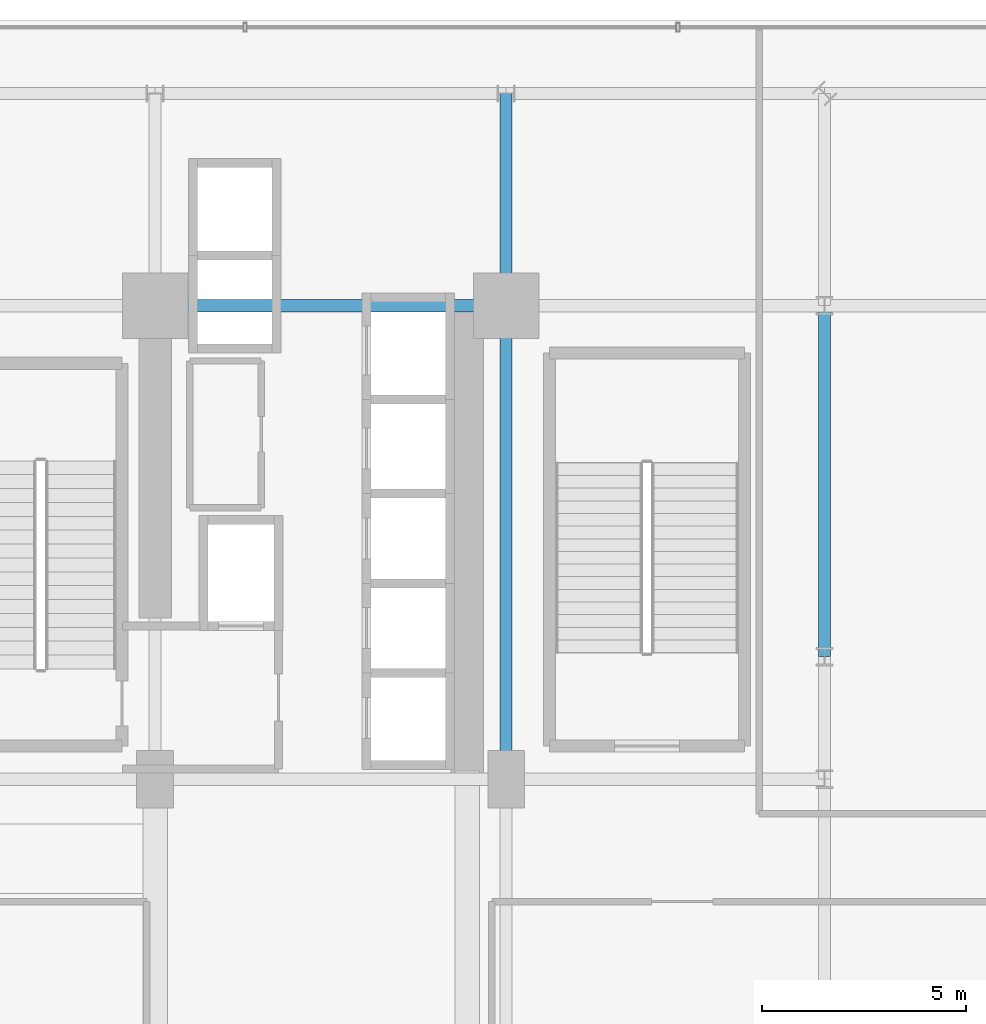
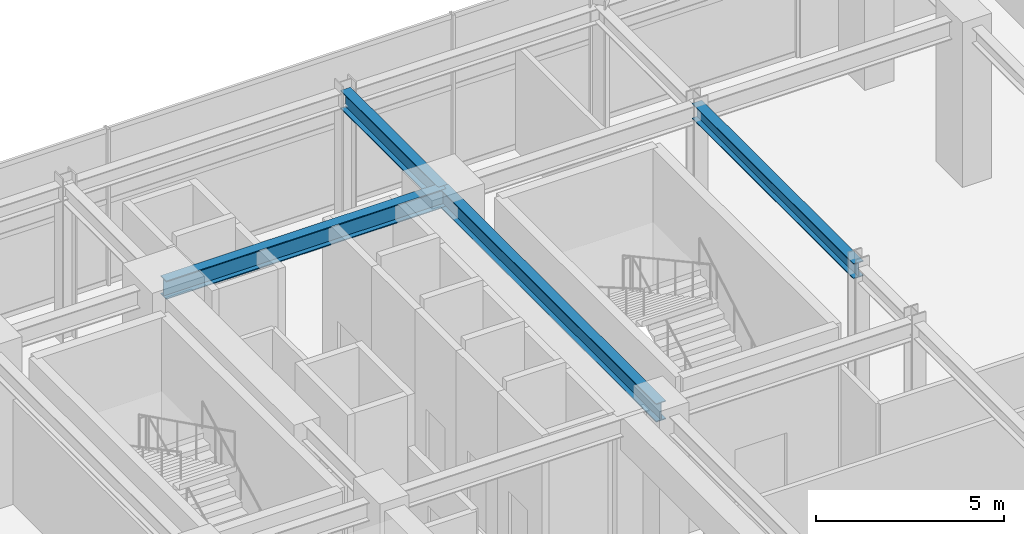
# One storey, part 19 of 32: 4 beams.
"""IFC4 building model written with IfcOpenShell, lengths in metres."""

import ifcopenshell
import ifcopenshell.guid

model = None  # the IFC model being written
_history = None  # IfcOwnerHistory: only IFC2X3 demands one
_inside = {}  # id of a spatial element -> (the spatial element, [elements in it])
_under = {}  # id of a project, library or spatial element -> (it, [spatial elements below it])
_declared = {}  # id of a project -> (the project, [libraries it declares])
_typed = {}  # id of a type object -> (the type object, [elements of that type])
_made_of = {}  # id of a material, layer set ... -> (it, [elements and type objects made of it])


def new_model(schema):
    """Start an empty IFC model of exactly this schema.

    Asked for "IFC4X3", IfcOpenShell would pick the latest addendum, in which some entities
    have other attributes; the version numbers below select the first issue.
    IFC2X3 requires an IfcOwnerHistory on every rooted entity: one is made here for all.
    """
    global model, _history
    if schema == "IFC4X3":
        model = ifcopenshell.file(schema_version=(4, 3, 0, 0))
    else:
        model = ifcopenshell.file(schema=schema)
    _inside.clear()
    _under.clear()
    _declared.clear()
    _typed.clear()
    _made_of.clear()
    _history = None
    if model.schema == "IFC2X3":
        org = make("IfcOrganization", Name="unknown")
        user = make(
            "IfcPersonAndOrganization",
            ThePerson=make("IfcPerson", FamilyName="unknown"),
            TheOrganization=org,
        )
        app = make(
            "IfcApplication",
            ApplicationDeveloper=org,
            Version="unknown",
            ApplicationFullName="unknown",
            ApplicationIdentifier="unknown",
        )
        _history = make(
            "IfcOwnerHistory",
            OwningUser=user,
            OwningApplication=app,
            ChangeAction="ADDED",
            CreationDate=0,
        )
    return model


def make(cls, **values):
    """One entity of the class cls with the attributes given. An attribute that is None is left unset."""
    return model.create_entity(
        cls, **{name: value for name, value in values.items() if value is not None}
    )


def rooted(cls, **values):
    """An entity with a GlobalId (a new one), such as an element, a storey or a relation."""
    return make(cls, GlobalId=ifcopenshell.guid.new(), OwnerHistory=_history, **values)


def si_unit(unit_type, name, prefix=None):
    """IfcSIUnit, for example si_unit("LENGTHUNIT", "METRE", prefix="MILLI")."""
    return make("IfcSIUnit", UnitType=unit_type, Prefix=prefix, Name=name)


def assignment(units):
    """IfcUnitAssignment: the units of a project."""
    return None if units is None else make("IfcUnitAssignment", Units=units)


def point(xyz):
    """IfcCartesianPoint."""
    return None if xyz is None else make("IfcCartesianPoint", Coordinates=xyz)


def direction(xyz):
    """IfcDirection."""
    return None if xyz is None else make("IfcDirection", DirectionRatios=xyz)


def frame(location, z_axis=None, x_axis=None):
    """IfcAxis2Placement3D, a coordinate frame: its origin and axes. An axis left out is left unset."""
    return make(
        "IfcAxis2Placement3D",
        Location=point(location),
        Axis=direction(z_axis),
        RefDirection=direction(x_axis),
    )


def frame_2d(location, x_axis=None):
    """IfcAxis2Placement2D, a coordinate frame in the plane: its origin and x axis."""
    return make(
        "IfcAxis2Placement2D", Location=point(location), RefDirection=direction(x_axis)
    )


def origin():
    """The frame at (0, 0, 0) with its axes left unset."""
    return frame((0.0, 0.0, 0.0))


def origin_2d():
    """The frame at (0, 0) in the plane with its x axis left unset."""
    return frame_2d((0.0, 0.0))


def place(relative_to, where):
    """IfcLocalPlacement: puts the frame where relative to a parent placement (None: the world)."""
    return make(
        "IfcLocalPlacement", PlacementRelTo=relative_to, RelativePlacement=where
    )


def context(
    kind, dimensions, precision=None, world=None, true_north=None, identifier=None
):
    """IfcGeometricRepresentationContext, for example the 3D "Model" context."""
    return make(
        "IfcGeometricRepresentationContext",
        ContextIdentifier=identifier,
        ContextType=kind,
        CoordinateSpaceDimension=dimensions,
        Precision=precision,
        WorldCoordinateSystem=world,
        TrueNorth=true_north,
    )


def subcontext(parent, identifier, kind, view, scale=None):
    """IfcGeometricRepresentationSubContext, for example "Body" below "Model"."""
    return make(
        "IfcGeometricRepresentationSubContext",
        ContextIdentifier=identifier,
        ContextType=kind,
        ParentContext=parent,
        TargetScale=scale,
        TargetView=view,
    )


def project(units=None, contexts=None):
    """IfcProject with its units and contexts."""
    return rooted(
        "IfcProject",
        Name="project",
        RepresentationContexts=contexts,
        UnitsInContext=assignment(units),
    )


def spatial(cls, under=None, at=None, **own):
    """A site, building, storey or space (cls), placed at a placement, below another one or the project."""
    s = rooted(cls, ObjectPlacement=at, **own)
    if under is not None:
        _under.setdefault(under.id(), (under, []))[1].append(s)
    return s


def profile(cls, at=None, kind="AREA", **sizes):
    """A parametric profile (cls). Its sizes go by their IFC names, for example OverallWidth=200.0."""
    return make(cls, ProfileType=kind, Position=at, **sizes)


def i_section(**sizes):
    """IfcIShapeProfileDef."""
    return profile("IfcIShapeProfileDef", **sizes)


def extrude(swept, where, along, depth):
    """IfcExtrudedAreaSolid: the profile swept, set in the frame where, extruded along a direction by depth."""
    return make(
        "IfcExtrudedAreaSolid",
        SweptArea=swept,
        Position=where,
        ExtrudedDirection=direction(along),
        Depth=depth,
    )


def shape(context_of_items, identifier, shape_type, items):
    """IfcShapeRepresentation: the items that make up one representation, for example the "Body"."""
    return make(
        "IfcShapeRepresentation",
        ContextOfItems=context_of_items,
        RepresentationIdentifier=identifier,
        RepresentationType=shape_type,
        Items=items,
    )


def source(mapping_origin, context_of_items, identifier, shape_type, items):
    """IfcRepresentationMap: a shape defined once, which mapped items show again and again."""
    return make(
        "IfcRepresentationMap",
        MappingOrigin=mapping_origin,
        MappedRepresentation=shape(context_of_items, identifier, shape_type, items),
    )


def transform(
    local_origin,
    x_axis=None,
    y_axis=None,
    z_axis=None,
    scale=None,
    scale2=None,
    scale3=None,
    uniform=True,
):
    """IfcCartesianTransformationOperator3D, or its non-uniform kind. x_axis, y_axis, z_axis: its Axis1, 2, 3."""
    if uniform:
        return make(
            "IfcCartesianTransformationOperator3D",
            Axis1=direction(x_axis),
            Axis2=direction(y_axis),
            LocalOrigin=point(local_origin),
            Scale=scale,
            Axis3=direction(z_axis),
        )
    return make(
        "IfcCartesianTransformationOperator3DnonUniform",
        Axis1=direction(x_axis),
        Axis2=direction(y_axis),
        LocalOrigin=point(local_origin),
        Scale=scale,
        Axis3=direction(z_axis),
        Scale2=scale2,
        Scale3=scale3,
    )


def mapped(mapping_source, mapping_target):
    """IfcMappedItem: shows the shape of a source again, moved by a transform."""
    return make(
        "IfcMappedItem", MappingSource=mapping_source, MappingTarget=mapping_target
    )


def material(Name=None, Category=None):
    """IfcMaterial."""
    return make("IfcMaterial", Name=Name, Category=Category)


def material_profile(
    of_material, cross_section, Name=None, Category=None, Priority=None
):
    """IfcMaterialProfile: a cross section and its material."""
    return make(
        "IfcMaterialProfile",
        Name=Name,
        Material=of_material,
        Profile=cross_section,
        Priority=Priority,
        Category=Category,
    )


def profile_set(profiles, Name=None, composite=None):
    """IfcMaterialProfileSet."""
    return make(
        "IfcMaterialProfileSet",
        Name=Name,
        MaterialProfiles=profiles,
        CompositeProfile=composite,
    )


def made_of(thing, what):
    """Note that an element or type object is made of a material, layer set ...; save() writes the relation."""
    if what is not None:
        _made_of.setdefault(what.id(), (what, []))[1].append(thing)
    return thing


def type_object(cls, material=None, **own):
    """A type object (cls), such as IfcWallType, which elements share."""
    return made_of(rooted(cls, **own), material)


def element(
    cls,
    number,
    at=None,
    inside=None,
    cuts=None,
    type_object=None,
    material=None,
    context=None,
    identifier="Body",
    shape_type=None,
    held_by="IfcProductDefinitionShape",
    body=None,
    shapes=None,
    **own,
):
    """One element of the class cls, such as IfcWall. Its Tag is "e" and its number.

    at: its placement. inside: the storey or other place that contains it. cuts: it is an
    opening in that element (IfcRelVoidsElement). A single representation is given by context,
    identifier, shape_type and body (its items); several are given by shapes. held_by: the class
    of the entity that holds the representations. save() writes the other relations.
    """
    e = rooted(cls, Tag="e%d" % number, ObjectPlacement=at, **own)
    if body is not None:
        shapes = [shape(context, identifier, shape_type, body)]
    if shapes is not None:
        e.Representation = make(held_by, Representations=shapes)
    if inside is not None:
        _inside.setdefault(inside.id(), (inside, []))[1].append(e)
    if cuts is not None:
        rooted(
            "IfcRelVoidsElement", RelatingBuildingElement=cuts, RelatedOpeningElement=e
        )
    if type_object is not None:
        _typed.setdefault(type_object.id(), (type_object, []))[1].append(e)
    return made_of(e, material)


def aggregate(whole, parts):
    """IfcRelAggregates: a whole, such as a stair, and the parts it consists of."""
    return rooted("IfcRelAggregates", RelatingObject=whole, RelatedObjects=parts)


def save(model, path):
    """Write the relations noted so far, then the file.

    IfcRelAggregates (storeys below a building ...), IfcRelContainedInSpatialStructure (elements
    in a storey), IfcRelDefinesByType, IfcRelAssociatesMaterial and IfcRelDeclares: one each for
    every whole, place, type object, material and project.
    """
    for whole, parts in _under.values():
        aggregate(whole, parts)
    for where, things in _inside.values():
        rooted(
            "IfcRelContainedInSpatialStructure",
            RelatedElements=things,
            RelatingStructure=where,
        )
    for kind, things in _typed.values():
        rooted("IfcRelDefinesByType", RelatedObjects=things, RelatingType=kind)
    for what, things in _made_of.values():
        rooted("IfcRelAssociatesMaterial", RelatedObjects=things, RelatingMaterial=what)
    for by, libraries in _declared.values():
        rooted("IfcRelDeclares", RelatingContext=by, RelatedDefinitions=libraries)
    model.write(path)


model = new_model("IFC4")

# Units and contexts
model_context = context("Model", 3, precision=1e-05, world=origin(), true_north=direction((0.0, 1.0)))
body_context = subcontext(model_context, "Body", "Model", "MODEL_VIEW")
ifc_project = project(units=[si_unit("LENGTHUNIT", "METRE"), si_unit("AREAUNIT", "SQUARE_METRE"), si_unit("VOLUMEUNIT", "CUBIC_METRE"), si_unit("PLANEANGLEUNIT", "RADIAN"), si_unit("MASSUNIT", "GRAM", prefix="KILO")], contexts=[model_context])

# Site, building, storey
site_placement = place(None, origin())
site = spatial("IfcSite", under=ifc_project, at=site_placement, CompositionType="ELEMENT")
building_placement = place(site_placement, origin())
building = spatial("IfcBuilding", under=site, at=building_placement, Name="Nahalor Promenade Grand Hotel", CompositionType="ELEMENT")
storey_placement = place(building_placement, frame((0.0, 0.0, 5.39990234375)))
storey = spatial("IfcBuildingStorey", under=building, at=storey_placement, Name="L01", CompositionType="ELEMENT", Elevation=5.39990234375)

# Beams
ifc_material = material(Name="Steel S355JR", Category="steel")
ifc_material_profile_1 = material_profile(ifc_material, i_section(OverallWidth=0.3, OverallDepth=0.6, WebThickness=0.0155, FlangeThickness=0.03, at=origin_2d()), Name="HEB 600")
ifc_profile_set_1 = profile_set([ifc_material_profile_1], Name="Steel S355JR")
beam_type_1 = type_object("IfcBeamType", Name="Beam-Girder-HEB600", PredefinedType="BEAM", material=ifc_profile_set_1)
shared_shape_1 = source(origin(), body_context, "Body", "SweptSolid", [
    extrude(i_section(OverallWidth=0.3, OverallDepth=0.6, WebThickness=0.0155, FlangeThickness=0.03, at=origin_2d()), origin(), (0.0, 0.0, 1.0), 8.60009765625),
])
beam_1_placement = place(storey_placement, frame((8.39990234375, 17.0, 4.780029296875), z_axis=(1.0, 0.0, 0.0), x_axis=(0.0, 1.0, 0.0)))
element("IfcBeam", 1, at=beam_1_placement, inside=storey, type_object=beam_type_1, Name="BM-L01-GX-3-6", PredefinedType="BEAM", context=body_context, shape_type="MappedRepresentation", body=[
    mapped(shared_shape_1, transform((0.0, 0.0, 0.0), scale=1.0)),
])
shared_shape_2 = source(origin(), body_context, "Body", "SweptSolid", [
    extrude(i_section(OverallWidth=0.3, OverallDepth=0.6, WebThickness=0.0155, FlangeThickness=0.03, at=origin_2d()), origin(), (0.0, 0.0, 1.0), 5.199951171875),
])
beam_2_placement = place(storey_placement, frame((17.0, 17.0, 4.780029296875), z_axis=(0.0, 1.0, 0.0), x_axis=(-1.0, 0.0, 0.0)))
element("IfcBeam", 2, at=beam_2_placement, inside=storey, type_object=beam_type_1, Name="BM-L01-GY-5-4", PredefinedType="BEAM", context=body_context, shape_type="MappedRepresentation", body=[
    mapped(shared_shape_2, transform((0.0, 0.0, 0.0), scale=1.0)),
])
shared_shape_3 = source(origin(), body_context, "Body", "SweptSolid", [
    extrude(i_section(OverallWidth=0.3, OverallDepth=0.6, WebThickness=0.0155, FlangeThickness=0.03, at=origin_2d()), origin(), (0.0, 0.0, 1.0), 11.60009765625),
])
beam_3_placement = place(storey_placement, frame((17.0, 5.39990234375, 4.780029296875), z_axis=(0.0, 1.0, 0.0), x_axis=(-1.0, 0.0, 0.0)))
element("IfcBeam", 3, at=beam_3_placement, inside=storey, type_object=beam_type_1, Name="BM-L01-GY-5-3", PredefinedType="BEAM", context=body_context, shape_type="MappedRepresentation", body=[
    mapped(shared_shape_3, transform((0.0, 0.0, 0.0), scale=1.0)),
])
ifc_material_profile_2 = material_profile(ifc_material, i_section(OverallWidth=0.3, OverallDepth=0.5, WebThickness=0.0145, FlangeThickness=0.028, at=origin_2d()), Name="HEB 500")
ifc_profile_set_2 = profile_set([ifc_material_profile_2], Name="Steel S355JR")
beam_type_2 = type_object("IfcBeamType", Name="Beam-Spandrel-HEB500", PredefinedType="SPANDREL", material=ifc_profile_set_2)
shared_shape_4 = source(origin(), body_context, "Body", "SweptSolid", [
    extrude(i_section(OverallWidth=0.3, OverallDepth=0.5, WebThickness=0.0145, FlangeThickness=0.028, at=origin_2d()), origin(), (0.0, 0.0, 1.0), 8.60009765625),
])
beam_4_placement = place(storey_placement, frame((24.800048828125, 8.39990234375, 4.830078125), z_axis=(0.0, 1.0, 0.0), x_axis=(-1.0, 0.0, 0.0)))
element("IfcBeam", 4, at=beam_4_placement, inside=storey, type_object=beam_type_2, Name="BM-L01-SP-E-4", PredefinedType="SPANDREL", context=body_context, shape_type="MappedRepresentation", body=[
    mapped(shared_shape_4, transform((0.0, 0.0, 0.0), scale=1.0)),
])

save(model, "model.ifc")
